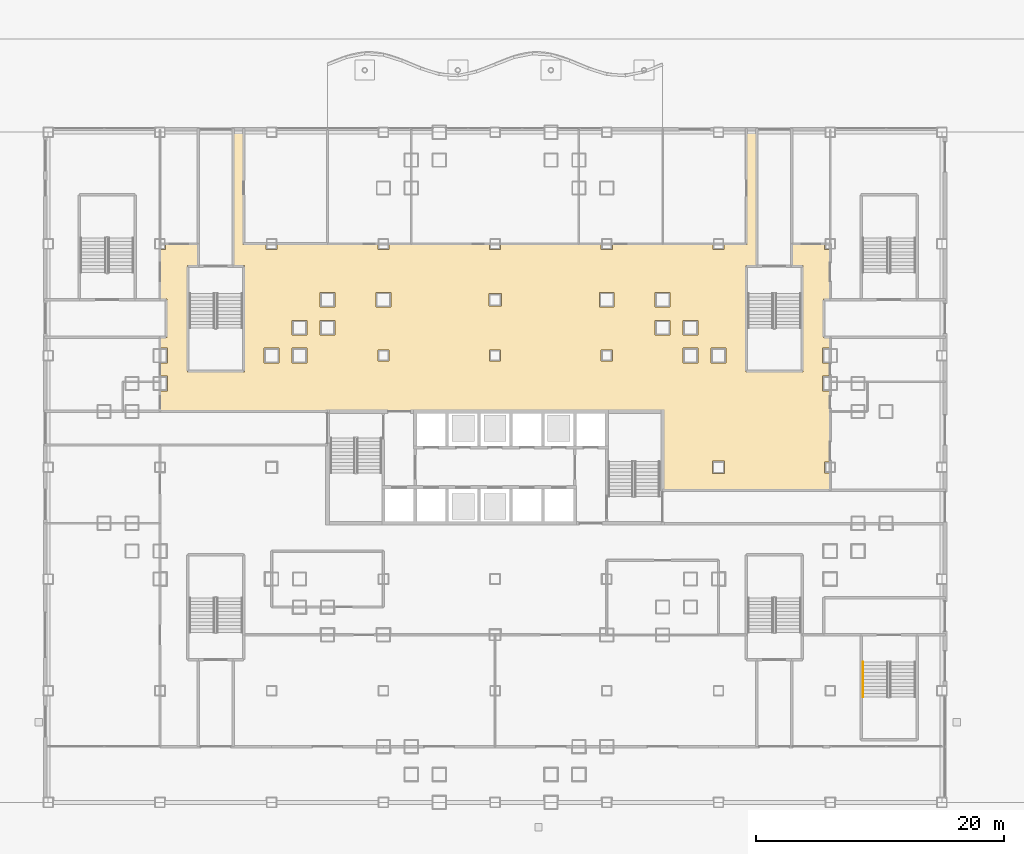
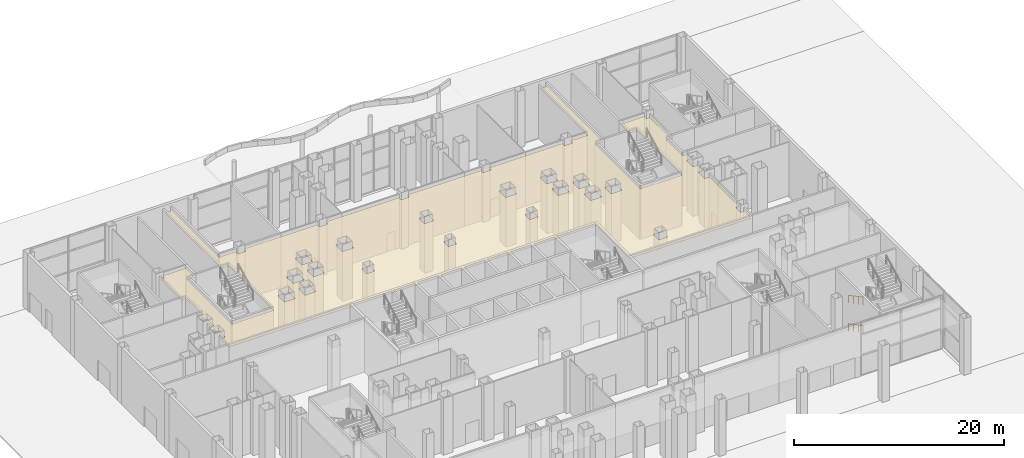
# One storey, part 34 of 38: 2 railings, 1 covering.
"""IFC4 building model written with IfcOpenShell, lengths in metres."""

from ifc_helpers import new_model, si_unit, direction, frame, origin, origin_2d, place, context, subcontext, project, spatial, polyline, circle, outline, extrude, material, layer, layer_set, type_object, element, save


model = new_model("IFC4")

# Units and contexts
model_context = context("Model", 3, precision=1e-05, world=origin(), true_north=direction((0.0, 1.0)))
body_context = subcontext(model_context, "Body", "Model", "MODEL_VIEW")
ifc_project = project(units=[si_unit("LENGTHUNIT", "METRE"), si_unit("AREAUNIT", "SQUARE_METRE"), si_unit("VOLUMEUNIT", "CUBIC_METRE"), si_unit("PLANEANGLEUNIT", "RADIAN"), si_unit("MASSUNIT", "GRAM", prefix="KILO")], contexts=[model_context])

# Site, building, storey
site_placement = place(None, origin())
site = spatial("IfcSite", under=ifc_project, at=site_placement, CompositionType="ELEMENT")
building_placement = place(site_placement, origin())
building = spatial("IfcBuilding", under=site, at=building_placement, Name="Caravel Reach Hotel and Residences", CompositionType="ELEMENT")
storey_placement = place(building_placement, origin())
storey = spatial("IfcBuildingStorey", under=building, at=storey_placement, Name="L00", CompositionType="ELEMENT", Elevation=0.0)

# Covering
ifc_material_1 = material(Name="Mineral fibre ceiling tile")
ifc_layer = layer(ifc_material_1, 0.050048828125)
ifc_layer_set = layer_set([ifc_layer], Name="CL1 Suspended ceiling 50")
covering_type = type_object("IfcCoveringType", Name="CL1 Suspended ceiling 50", PredefinedType="CEILING", material=ifc_layer_set)
covering_placement = place(storey_placement, frame((0.0, 0.0, 5.800048828125)))
element("IfcCovering", 1, at=covering_placement, inside=storey, type_object=covering_type, Name="L00 ceiling Hotel lobby", PredefinedType="CEILING", context=body_context, shape_type="SweptSolid", body=[
    extrude(outline(polyline([(4.949951171875, 44.949951171875), (4.949951171875, 44.550048828125), (4.550048828125, 44.550048828125), (4.550048828125, 40.550048828125), (5.050048828125, 40.550048828125), (5.050048828125, 37.449951171875), (4.550048828125, 37.449951171875), (4.550048828125, 36.60009765625), (5.10009765625, 36.60009765625), (5.10009765625, 35.39990234375), (4.550048828125, 35.39990234375), (4.550048828125, 34.35009765625), (5.10009765625, 34.35009765625), (5.10009765625, 33.14990234375), (4.550048828125, 33.14990234375), (4.550048828125, 31.550048828125), (45.050048828125, 31.550048828125), (45.050048828125, 25.199951171875), (58.449951171875, 25.199951171875), (58.449951171875, 26.550048828125), (58.050048828125, 26.550048828125), (58.050048828125, 27.449951171875), (58.449951171875, 27.449951171875), (58.449951171875, 33.14990234375), (57.89990234375, 33.14990234375), (57.89990234375, 34.35009765625), (58.449951171875, 34.35009765625), (58.449951171875, 35.39990234375), (57.89990234375, 35.39990234375), (57.89990234375, 36.60009765625), (58.449951171875, 36.60009765625), (58.449951171875, 37.449951171875), (57.949951171875, 37.449951171875), (57.949951171875, 40.550048828125), (58.449951171875, 40.550048828125), (58.449951171875, 44.550048828125), (58.050048828125, 44.550048828125), (58.050048828125, 44.949951171875), (55.449951171875, 44.949951171875), (55.449951171875, 43.25), (56.300048828125, 43.25), (56.300048828125, 34.699951171875), (51.699951171875, 34.699951171875), (51.699951171875, 43.25), (52.550048828125, 43.25), (52.550048828125, 53.949951171875), (51.800048828125, 53.949951171875), (51.800048828125, 44.949951171875), (49.949951171875, 44.949951171875), (49.949951171875, 44.550048828125), (49.050048828125, 44.550048828125), (49.050048828125, 44.949951171875), (40.949951171875, 44.949951171875), (40.949951171875, 44.550048828125), (40.050048828125, 44.550048828125), (40.050048828125, 44.949951171875), (31.949951171875, 44.949951171875), (31.949951171875, 44.550048828125), (31.050048828125, 44.550048828125), (31.050048828125, 44.949951171875), (22.949951171875, 44.949951171875), (22.949951171875, 44.550048828125), (22.050048828125, 44.550048828125), (22.050048828125, 44.949951171875), (13.949951171875, 44.949951171875), (13.949951171875, 44.550048828125), (13.050048828125, 44.550048828125), (13.050048828125, 44.949951171875), (11.199951171875, 44.949951171875), (11.199951171875, 53.949951171875), (10.449951171875, 53.949951171875), (10.449951171875, 43.25), (11.300048828125, 43.25), (11.300048828125, 34.699951171875), (6.699951171875, 34.699951171875), (6.699951171875, 43.25), (7.550048828125, 43.25), (7.550048828125, 44.949951171875), (4.949951171875, 44.949951171875)]), holes=[polyline([(50.10009765625, 35.39990234375), (48.89990234375, 35.39990234375), (48.89990234375, 36.60009765625), (50.10009765625, 36.60009765625), (50.10009765625, 35.39990234375)]), polyline([(46.64990234375, 35.39990234375), (46.64990234375, 36.60009765625), (47.85009765625, 36.60009765625), (47.85009765625, 35.39990234375), (46.64990234375, 35.39990234375)]), polyline([(46.64990234375, 38.85009765625), (47.85009765625, 38.85009765625), (47.85009765625, 37.64990234375), (46.64990234375, 37.64990234375), (46.64990234375, 38.85009765625)]), polyline([(45.60009765625, 38.85009765625), (45.60009765625, 37.64990234375), (44.39990234375, 37.64990234375), (44.39990234375, 38.85009765625), (45.60009765625, 38.85009765625)]), polyline([(45.60009765625, 39.89990234375), (44.39990234375, 39.89990234375), (44.39990234375, 41.10009765625), (45.60009765625, 41.10009765625), (45.60009765625, 39.89990234375)]), polyline([(39.89990234375, 39.89990234375), (39.89990234375, 41.10009765625), (41.10009765625, 41.10009765625), (41.10009765625, 39.89990234375), (39.89990234375, 39.89990234375)]), polyline([(23.10009765625, 39.89990234375), (21.89990234375, 39.89990234375), (21.89990234375, 41.10009765625), (23.10009765625, 41.10009765625), (23.10009765625, 39.89990234375)]), polyline([(17.39990234375, 39.89990234375), (17.39990234375, 41.10009765625), (18.60009765625, 41.10009765625), (18.60009765625, 39.89990234375), (17.39990234375, 39.89990234375)]), polyline([(17.39990234375, 38.85009765625), (18.60009765625, 38.85009765625), (18.60009765625, 37.64990234375), (17.39990234375, 37.64990234375), (17.39990234375, 38.85009765625)]), polyline([(16.35009765625, 38.85009765625), (16.35009765625, 37.64990234375), (15.14990234375, 37.64990234375), (15.14990234375, 38.85009765625), (16.35009765625, 38.85009765625)]), polyline([(16.35009765625, 35.39990234375), (15.14990234375, 35.39990234375), (15.14990234375, 36.60009765625), (16.35009765625, 36.60009765625), (16.35009765625, 35.39990234375)]), polyline([(12.89990234375, 35.39990234375), (12.89990234375, 36.60009765625), (14.10009765625, 36.60009765625), (14.10009765625, 35.39990234375), (12.89990234375, 35.39990234375)]), polyline([(31.0, 41.0), (32.0, 41.0), (32.0, 40.0), (31.0, 40.0), (31.0, 41.0)]), polyline([(49.0, 26.5), (49.0, 27.5), (50.0, 27.5), (50.0, 26.5), (49.0, 26.5)]), polyline([(22.050048828125, 35.550048828125), (22.050048828125, 36.449951171875), (22.949951171875, 36.449951171875), (22.949951171875, 35.550048828125), (22.050048828125, 35.550048828125)]), polyline([(31.050048828125, 35.550048828125), (31.050048828125, 36.449951171875), (31.949951171875, 36.449951171875), (31.949951171875, 35.550048828125), (31.050048828125, 35.550048828125)]), polyline([(40.050048828125, 35.550048828125), (40.050048828125, 36.449951171875), (40.949951171875, 36.449951171875), (40.949951171875, 35.550048828125), (40.050048828125, 35.550048828125)])]), origin(), (0.0, 0.0, 1.0), 0.050048828125),
])

# Railings
ifc_material_2 = material(Name="Stainless steel handrail", Category="steel")
railing_type = type_object("IfcRailingType", Name="Handrail 900", PredefinedType="HANDRAIL", material=ifc_material_2)
for number, where, name in (
    (2, (61.155029296875, 11.31005859375, 0.14990234375), "L00 ST-P7 stair handrail 1"),
    (3, (61.155029296875, 11.31005859375, 3.449951171875), "L00 ST-P7 stair handrail 3"),
):
    element("IfcRailing", number, at=place(storey_placement, frame(where)), inside=storey, type_object=railing_type, Name=name, PredefinedType="HANDRAIL", context=body_context, shape_type="SweptSolid", body=[
        extrude(circle(Radius=0.02392578125, at=origin_2d()), frame((0.0, 0.0, 0.8759765625), z_axis=(0.0, -0.881483397762, 0.472215014025), x_axis=(1.0, 0.0, 0.0)), (0.0, 0.0, 1.0), 3.176513671875),
        extrude(circle(Radius=0.02099609375, at=origin_2d()), origin(), (0.0, 0.0, 1.0), 0.851806640625),
        extrude(circle(Radius=0.02099609375, at=origin_2d()), frame((0.0, -0.933349609375, 0.5)), (0.0, 0.0, 1.0), 0.851806640625),
        extrude(circle(Radius=0.02099609375, at=origin_2d()), frame((0.0, -1.86669921875, 1.0)), (0.0, 0.0, 1.0), 0.851806640625),
        extrude(circle(Radius=0.02099609375, at=origin_2d()), frame((0.0, -2.800048828125, 1.5)), (0.0, 0.0, 1.0), 0.851806640625),
    ])

save(model, "model.ifc")
